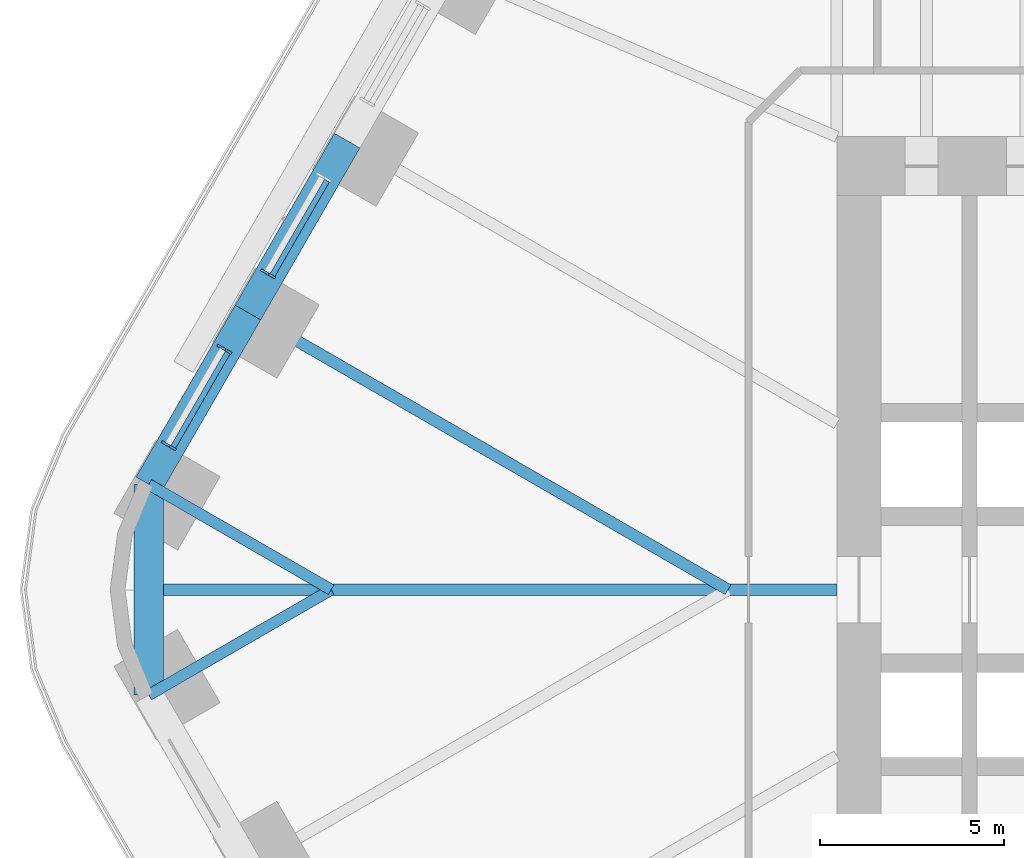
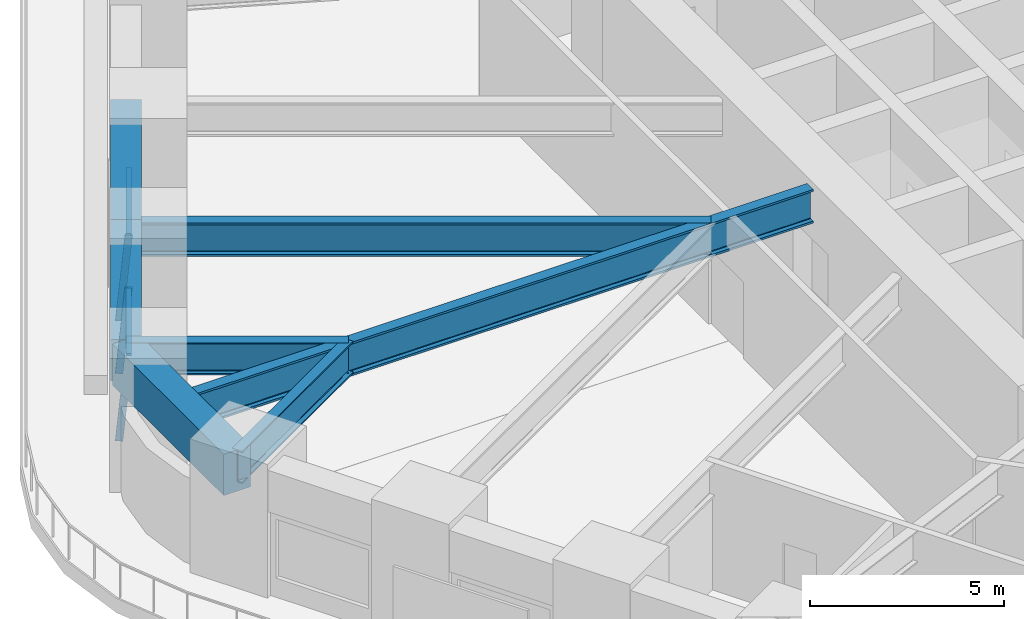
# One storey, part 6 of 23: 7 beams, 5 members, 2 elements without a shape of their own.
"""IFC4 building model written with IfcOpenShell, lengths in metres."""

from ifc_helpers import new_model, si_unit, direction, frame, origin, origin_2d, place, context, subcontext, project, spatial, rectangle, i_section, extrude, material, material_profile, profile_set, type_object, element, aggregate, save


model = new_model("IFC4")

# Units and contexts
model_context = context("Model", 3, precision=1e-05, world=origin(), true_north=direction((0.0, 1.0)))
body_context = subcontext(model_context, "Body", "Model", "MODEL_VIEW")
ifc_project = project(units=[si_unit("LENGTHUNIT", "METRE"), si_unit("AREAUNIT", "SQUARE_METRE"), si_unit("VOLUMEUNIT", "CUBIC_METRE"), si_unit("PLANEANGLEUNIT", "RADIAN"), si_unit("MASSUNIT", "GRAM", prefix="KILO")], contexts=[model_context])

# Site, building, storey
site_placement = place(None, origin())
site = spatial("IfcSite", under=ifc_project, at=site_placement, CompositionType="ELEMENT")
building_placement = place(site_placement, origin())
building = spatial("IfcBuilding", under=site, at=building_placement, Name="Tarfa Lantern Tower", CompositionType="ELEMENT")
storey_placement = place(building_placement, frame((0.0, 0.0, 36.10009765625)))
storey = spatial("IfcBuildingStorey", under=building, at=storey_placement, Name="L07", CompositionType="ELEMENT", Elevation=36.10009765625)

# Curtain wall, member
ifc_material_1 = material(Name="Aluminium framed curtain wall", Category="aluminium")
curtain_wall_type = type_object("IfcCurtainWallType", Name="CW1 CANTED GLAZING LOW ZONE 2700", PredefinedType="USERDEFINED", material=ifc_material_1)
curtain_wall_1_placement = place(storey_placement, origin())
curtain_wall_1 = element("IfcCurtainWall", 1, at=curtain_wall_1_placement, inside=storey, type_object=curtain_wall_type, Name="CW1 NW L07", ObjectType="CURTAIN WALL", PredefinedType="USERDEFINED")
ifc_material_2 = material(Name="Aluminium mullion", Category="aluminium")
ifc_material_profile_1 = material_profile(ifc_material_2, rectangle(XDim=0.06494140625, YDim=0.199951171875, at=origin_2d()), Name="AL MULLION 65x200")
ifc_profile_set_1 = profile_set([ifc_material_profile_1], Name="Aluminium mullion")
member_type_1 = type_object("IfcMemberType", Name="CWM1 MULLION 65x200", PredefinedType="MULLION", material=ifc_profile_set_1)
member_1_placement = place(storey_placement, frame((-34.155517578125, 8.640625, 0.0), z_axis=(0.079774955866, -0.04610020023, 0.995746317068), x_axis=(0.500342721131, 0.865827443207, 0.0)))
member_1 = element("IfcMember", 2, at=member_1_placement, type_object=member_type_1, Name="CW1 mullion 2", PredefinedType="MULLION", context=body_context, shape_type="SweptSolid", body=[
    extrude(rectangle(XDim=0.06494140625, YDim=0.199951171875, at=origin_2d()), origin(), (0.0, 0.0, 1.0), 2.71142578125),
])

# Curtain wall, members
curtain_wall_2_placement = place(storey_placement, origin())
curtain_wall_2 = element("IfcCurtainWall", 3, at=curtain_wall_2_placement, inside=storey, type_object=curtain_wall_type, Name="CW1 NW L07", ObjectType="CURTAIN WALL", PredefinedType="USERDEFINED")
member_2_placement = place(storey_placement, frame((-35.338134765625, 6.592529296875, 0.0), z_axis=(0.07986442134, -0.046099868913, 0.99573916077), x_axis=(0.499919672301, 0.866071776036, 0.0)))
member_2 = element("IfcMember", 4, at=member_2_placement, type_object=member_type_1, Name="CW1 mullion 1", PredefinedType="MULLION", context=body_context, shape_type="SweptSolid", body=[
    extrude(rectangle(XDim=0.06494140625, YDim=0.199951171875, at=origin_2d()), origin(), (0.0, 0.0, 1.0), 2.71142578125),
])
member_3_placement = place(storey_placement, frame((-36.849853515625, 3.97412109375, 0.0), z_axis=(0.07986442134, -0.046099868913, 0.99573916077), x_axis=(0.499919672301, 0.866071776036, 0.0)))
member_3 = element("IfcMember", 5, at=member_3_placement, type_object=member_type_1, Name="CW1 mullion 2", PredefinedType="MULLION", context=body_context, shape_type="SweptSolid", body=[
    extrude(rectangle(XDim=0.06494140625, YDim=0.199951171875, at=origin_2d()), origin(), (0.0, 0.0, 1.0), 2.71142578125),
])

# Member
ifc_material_3 = material(Name="Aluminium transom", Category="aluminium")
ifc_material_profile_2 = material_profile(ifc_material_3, rectangle(XDim=0.14990234375, YDim=0.06494140625, at=origin_2d()), Name="AL TRANSOM 150x65")
ifc_profile_set_2 = profile_set([ifc_material_profile_2], Name="Aluminium transom")
member_type_2 = type_object("IfcMemberType", Name="CWT1 TRANSOM 150x65", PredefinedType="USERDEFINED", material=ifc_profile_set_2)
member_4_placement = place(storey_placement, frame((-32.446044921875, 11.107666015625, 2.66748046875), z_axis=(-0.50004387232, -0.866000072607, 0.0), x_axis=(0.866000072607, -0.50004387232, 0.0)))
member_4 = element("IfcMember", 6, at=member_4_placement, type_object=member_type_2, Name="CW1 transom 1.2", ObjectType="TRANSOM", PredefinedType="USERDEFINED", context=body_context, shape_type="SweptSolid", body=[
    extrude(rectangle(XDim=0.14990234375, YDim=0.06494140625, at=origin_2d()), origin(), (0.0, 0.0, 1.0), 2.958740234375),
])

aggregate(curtain_wall_1, [member_1, member_4])

member_5_placement = place(storey_placement, frame((-35.140380859375, 6.44091796875, 2.66748046875), z_axis=(-0.50004387232, -0.866000072607, 0.0), x_axis=(0.866000072607, -0.50004387232, 0.0)))
member_5 = element("IfcMember", 7, at=member_5_placement, type_object=member_type_2, Name="CW1 transom 1.2", ObjectType="TRANSOM", PredefinedType="USERDEFINED", context=body_context, shape_type="SweptSolid", body=[
    extrude(rectangle(XDim=0.14990234375, YDim=0.06494140625, at=origin_2d()), origin(), (0.0, 0.0, 1.0), 2.958740234375),
])

aggregate(curtain_wall_2, [member_2, member_3, member_5])

# Beams
ifc_material_4 = material(Name="Concrete C80/95", Category="concrete")
ifc_material_profile_3 = material_profile(ifc_material_4, rectangle(XDim=0.800048828125, YDim=1.300048828125, at=origin_2d()), Name="RC 800x1300")
ifc_profile_set_3 = profile_set([ifc_material_profile_3], Name="Concrete C80/95")
beam_type_1 = type_object("IfcBeamType", Name="EB1 RC 800x1300", PredefinedType="SPANDREL", material=ifc_profile_set_3)
beam_1_placement = place(storey_placement, frame((-31.896728515625, 12.193359375, 3.349853515625), z_axis=(-0.499998287579, -0.866026392449, 0.0), x_axis=(0.866026392449, -0.499998287579, 0.0)))
element("IfcBeam", 8, at=beam_1_placement, inside=storey, type_object=beam_type_1, Name="Edge beam NW4", PredefinedType="SPANDREL", context=body_context, shape_type="SweptSolid", body=[
    extrude(rectangle(XDim=0.800048828125, YDim=1.300048828125, at=origin_2d()), origin(), (0.0, 0.0, 1.0), 5.388671875),
])
beam_2_placement = place(storey_placement, frame((-34.591064453125, 7.526611328125, 3.349853515625), z_axis=(-0.500017906299, -0.866015065331, 0.0), x_axis=(0.866015065331, -0.500017906299, 0.0)))
element("IfcBeam", 9, at=beam_2_placement, inside=storey, type_object=beam_type_1, Name="Edge beam NW5", PredefinedType="SPANDREL", context=body_context, shape_type="SweptSolid", body=[
    extrude(rectangle(XDim=0.800048828125, YDim=1.300048828125, at=origin_2d()), origin(), (0.0, 0.0, 1.0), 5.388427734375),
])
beam_3_placement = place(storey_placement, frame((-37.285400390625, 2.860107421875, 3.349853515625), z_axis=(0.0, -1.0, 0.0), x_axis=(1.0, 0.0, 0.0)))
element("IfcBeam", 10, at=beam_3_placement, inside=storey, type_object=beam_type_1, Name="Edge beam NW6", PredefinedType="SPANDREL", context=body_context, shape_type="SweptSolid", body=[
    extrude(rectangle(XDim=0.800048828125, YDim=1.300048828125, at=origin_2d()), origin(), (0.0, 0.0, 1.0), 5.72021484375),
])
ifc_material_5 = material(Name="Steel S460M", Category="steel")
ifc_material_profile_4 = material_profile(ifc_material_5, i_section(OverallWidth=0.302001953125, OverallDepth=1.008056640625, WebThickness=0.02099609375, FlangeThickness=0.0400390625, FilletRadius=0.030029296875, at=origin_2d()), Name="UB1016x305x349")
ifc_profile_set_4 = profile_set([ifc_material_profile_4], Name="Steel S460M")
beam_type_2 = type_object("IfcBeamType", Name="UB1016x305x349", PredefinedType="BEAM", material=ifc_profile_set_4)
for number, where, z_axis, x_axis, name in (
    (11, (-37.285400390625, 2.860107421875, 3.495849609375), (0.866025668288, -0.499999541866, 0.0), (0.499999541866, 0.866025668288, 0.0), "Floor beam NW6"),
    (12, (-37.285400390625, -2.860107421875, 3.495849609375), (0.866025668288, 0.499999541866, 0.0), (-0.499999541866, 0.866025668288, 0.0), "Floor beam SW0"),
):
    element("IfcBeam", number, at=place(storey_placement, frame(where, z_axis=z_axis, x_axis=x_axis)), inside=storey, type_object=beam_type_2, Name=name, PredefinedType="BEAM", context=body_context, shape_type="SweptSolid", body=[
        extrude(i_section(OverallWidth=0.302001953125, OverallDepth=1.008056640625, WebThickness=0.02099609375, FlangeThickness=0.0400390625, FilletRadius=0.030029296875, at=origin_2d()), origin(), (0.0, 0.0, 1.0), 5.72021484375),
    ])
ifc_material_profile_5 = material_profile(ifc_material_5, i_section(OverallWidth=0.314208984375, OverallDepth=1.055908203125, WebThickness=0.035888671875, FlangeThickness=0.06396484375, FilletRadius=0.030029296875, at=origin_2d()), Name="UB1016x305x584")
ifc_profile_set_5 = profile_set([ifc_material_profile_5], Name="Steel S460M")
beam_type_3 = type_object("IfcBeamType", Name="UB1016x305x584", PredefinedType="BEAM", material=ifc_profile_set_5)
beam_4_placement = place(storey_placement, frame((-18.60009765625, 0.0, 3.471923828125), z_axis=(-1.0, 0.0, 0.0), x_axis=(0.0, -1.0, 0.0)))
element("IfcBeam", 13, at=beam_4_placement, inside=storey, type_object=beam_type_3, Name="Hip girder W", PredefinedType="BEAM", context=body_context, shape_type="SweptSolid", body=[
    extrude(i_section(OverallWidth=0.314208984375, OverallDepth=1.055908203125, WebThickness=0.035888671875, FlangeThickness=0.06396484375, FilletRadius=0.030029296875, at=origin_2d()), origin(), (0.0, 0.0, 1.0), 18.685302734375),
])
beam_5_placement = place(storey_placement, frame((-34.591064453125, 7.526611328125, 3.471923828125), z_axis=(0.86602785945, -0.499995746638, 0.0), x_axis=(0.499995746638, 0.86602785945, 0.0)))
element("IfcBeam", 14, at=beam_5_placement, inside=storey, type_object=beam_type_3, Name="Floor beam NW5", PredefinedType="BEAM", context=body_context, shape_type="SweptSolid", body=[
    extrude(i_section(OverallWidth=0.314208984375, OverallDepth=1.055908203125, WebThickness=0.035888671875, FlangeThickness=0.06396484375, FilletRadius=0.030029296875, at=origin_2d()), origin(), (0.0, 0.0, 1.0), 15.053466796875),
])

save(model, "model.ifc")
